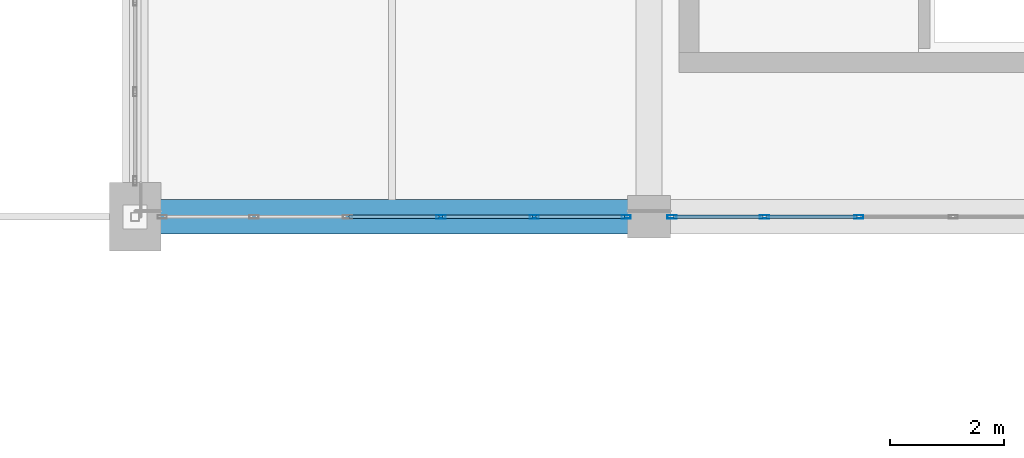
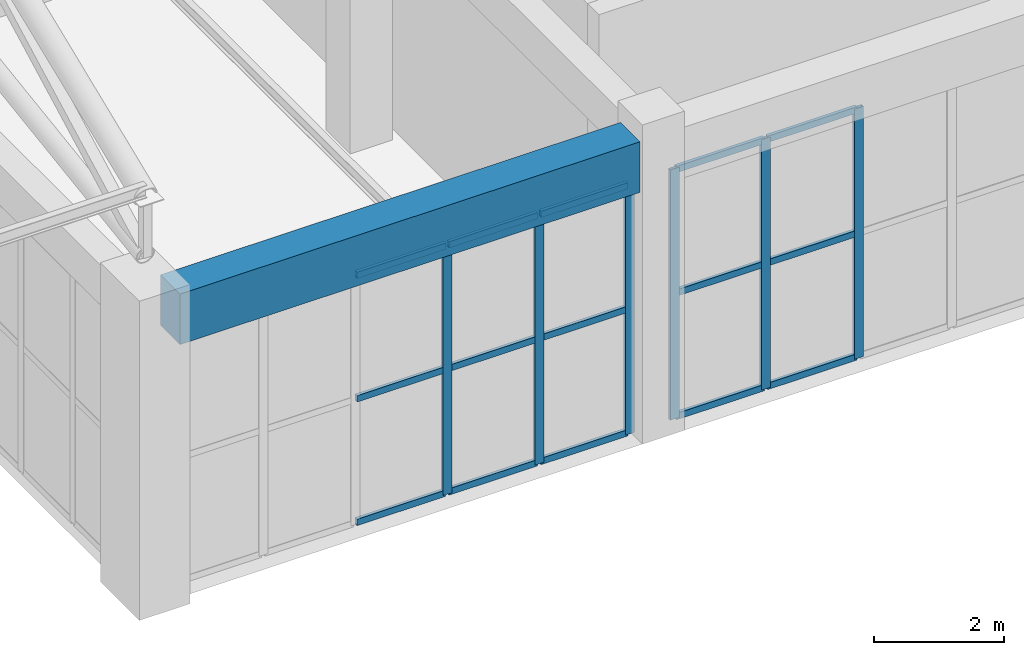
# One storey, part 89 of 223: 21 members, 1 beam, 2 elements without a shape of their own.
"""IFC4 building model written with IfcOpenShell, lengths in metres."""

from ifc_helpers import new_model, si_unit, direction, frame, origin, origin_2d, place, context, subcontext, project, spatial, rectangle, hollow_rectangle, extrude, material, layer, layer_set, material_profile, profile_set, type_object, element, aggregate, save


model = new_model("IFC4")

# Units and contexts
model_context = context("Model", 3, precision=1e-05, world=origin(), true_north=direction((0.0, 1.0)))
body_context = subcontext(model_context, "Body", "Model", "MODEL_VIEW")
ifc_project = project(units=[si_unit("LENGTHUNIT", "METRE"), si_unit("AREAUNIT", "SQUARE_METRE"), si_unit("VOLUMEUNIT", "CUBIC_METRE"), si_unit("PLANEANGLEUNIT", "RADIAN"), si_unit("MASSUNIT", "GRAM", prefix="KILO")], contexts=[model_context])

# Site, building, storey
site_placement = place(None, origin())
site = spatial("IfcSite", under=ifc_project, at=site_placement, CompositionType="ELEMENT")
building_placement = place(site_placement, origin())
building = spatial("IfcBuilding", under=site, at=building_placement, Name="Dornveld Trade and Exhibition Forum", CompositionType="ELEMENT")
storey_placement = place(building_placement, frame((0.0, 0.0, 6.0)))
storey = spatial("IfcBuildingStorey", under=building, at=storey_placement, Name="L01", CompositionType="ELEMENT", Elevation=6.0)

# Beam
ifc_material_1 = material(Name="Precast concrete C50/60", Category="concrete")
ifc_material_profile_1 = material_profile(ifc_material_1, rectangle(XDim=0.60009765625, YDim=0.949951171875, at=origin_2d()), Name="PC-GIR 600x950")
ifc_profile_set_1 = profile_set([ifc_material_profile_1], Name="Precast concrete C50/60")
beam_type = type_object("IfcBeamType", Name="BM-PC-600x950", PredefinedType="T_BEAM", material=ifc_profile_set_1)
beam_placement = place(storey_placement, frame((171.446044921875, 108.0, 5.1650390625), z_axis=(1.0, 0.0, 0.0), x_axis=(0.0, 1.0, 0.0)))
element("IfcBeam", 1, at=beam_placement, inside=storey, type_object=beam_type, Name="L01 X-girder 1334", PredefinedType="T_BEAM", context=body_context, shape_type="SweptSolid", body=[
    extrude(rectangle(XDim=0.60009765625, YDim=0.949951171875, at=origin_2d()), origin(), (0.0, 0.0, 1.0), 8.182861328125),
])

# Curtain wall, members
ifc_material_2 = material(Name="Dark-bronze anodised aluminium and low-E glass", Category="aluminium")
ifc_layer_1 = layer(ifc_material_2, 0.18408203125)
ifc_layer_set_1 = layer_set([ifc_layer_1], Name="Dark-bronze anodised aluminium and low-E glass")
curtain_wall_type_1 = type_object("IfcCurtainWallType", Name="CW-SYS-14", PredefinedType="USERDEFINED", material=ifc_layer_set_1)
curtain_wall_1_placement = place(storey_placement, origin())
curtain_wall_1 = element("IfcCurtainWall", 2, at=curtain_wall_1_placement, inside=storey, type_object=curtain_wall_type_1, Name="L01 unitised curtain wall 104", ObjectType="UNITISED_CURTAIN_WALL", PredefinedType="USERDEFINED")
ifc_material_3 = material(Name="Dark-bronze anodised aluminium", Category="aluminium")
ifc_material_profile_2 = material_profile(ifc_material_3, hollow_rectangle(XDim=0.06005859375, YDim=0.159912109375, WallThickness=0.00390625, at=origin_2d()), Name="RHS 160x60x4")
ifc_profile_set_2 = profile_set([ifc_material_profile_2], Name="Dark-bronze anodised aluminium")
member_type_1 = type_object("IfcMemberType", Name="CW-MUL-160", PredefinedType="MULLION", material=ifc_profile_set_2)
member_1_placement = place(storey_placement, frame((176.355712890625, 108.0, -0.00390625), z_axis=(0.0, 0.0, 1.0), x_axis=(0.0, 1.0, 0.0)))
member_1 = element("IfcMember", 3, at=member_1_placement, type_object=member_type_1, Name="CW-14 mullion 4", PredefinedType="MULLION", context=body_context, shape_type="SweptSolid", body=[
    extrude(hollow_rectangle(XDim=0.06005859375, YDim=0.159912109375, WallThickness=0.00390625, at=origin_2d()), origin(), (0.0, 0.0, 1.0), 4.703857421875),
])
member_2_placement = place(storey_placement, frame((177.992431640625, 108.0, -0.00390625), z_axis=(0.0, 0.0, 1.0), x_axis=(0.0, 1.0, 0.0)))
member_2 = element("IfcMember", 4, at=member_2_placement, type_object=member_type_1, Name="CW-14 mullion 5", PredefinedType="MULLION", context=body_context, shape_type="SweptSolid", body=[
    extrude(hollow_rectangle(XDim=0.06005859375, YDim=0.159912109375, WallThickness=0.00390625, at=origin_2d()), origin(), (0.0, 0.0, 1.0), 4.703857421875),
])
member_3_placement = place(storey_placement, frame((179.59912109375, 108.0, -0.00390625), z_axis=(0.0, 0.0, 1.0), x_axis=(0.0, 1.0, 0.0)))
member_3 = element("IfcMember", 5, at=member_3_placement, type_object=member_type_1, Name="CW-14 mullion 6", PredefinedType="MULLION", context=body_context, shape_type="SweptSolid", body=[
    extrude(hollow_rectangle(XDim=0.06005859375, YDim=0.159912109375, WallThickness=0.00390625, at=origin_2d()), origin(), (0.0, 0.0, 1.0), 4.703857421875),
])

ifc_material_4 = material(Name="Dark-bronze anodised aluminium and low-E glass", Category="aluminium")
ifc_layer_2 = layer(ifc_material_4, 0.18701171875)
ifc_layer_set_2 = layer_set([ifc_layer_2], Name="Dark-bronze anodised aluminium and low-E glass")
curtain_wall_type_2 = type_object("IfcCurtainWallType", Name="CW-SYS-15", PredefinedType="USERDEFINED", material=ifc_layer_set_2)
curtain_wall_2_placement = place(storey_placement, origin())
curtain_wall_2 = element("IfcCurtainWall", 6, at=curtain_wall_2_placement, inside=storey, type_object=curtain_wall_type_2, Name="L01 unitised curtain wall 105", ObjectType="UNITISED_CURTAIN_WALL", PredefinedType="USERDEFINED")
member_4_placement = place(storey_placement, frame((180.40087890625, 108.0, -0.00390625), z_axis=(0.0, 0.0, 1.0), x_axis=(0.0, 1.0, 0.0)))
member_4 = element("IfcMember", 7, at=member_4_placement, type_object=member_type_1, Name="CW-15 mullion 1", PredefinedType="MULLION", context=body_context, shape_type="SweptSolid", body=[
    extrude(hollow_rectangle(XDim=0.06005859375, YDim=0.159912109375, WallThickness=0.00390625, at=origin_2d()), origin(), (0.0, 0.0, 1.0), 4.703857421875),
])
member_5_placement = place(storey_placement, frame((182.022705078125, 108.0, -0.00390625), z_axis=(0.0, 0.0, 1.0), x_axis=(0.0, 1.0, 0.0)))
member_5 = element("IfcMember", 8, at=member_5_placement, type_object=member_type_1, Name="CW-15 mullion 2", PredefinedType="MULLION", context=body_context, shape_type="SweptSolid", body=[
    extrude(hollow_rectangle(XDim=0.06005859375, YDim=0.159912109375, WallThickness=0.00390625, at=origin_2d()), origin(), (0.0, 0.0, 1.0), 4.703857421875),
])
member_6_placement = place(storey_placement, frame((183.67431640625, 108.0, -0.00390625), z_axis=(0.0, 0.0, 1.0), x_axis=(0.0, 1.0, 0.0)))
member_6 = element("IfcMember", 9, at=member_6_placement, type_object=member_type_1, Name="CW-15 mullion 3", PredefinedType="MULLION", context=body_context, shape_type="SweptSolid", body=[
    extrude(hollow_rectangle(XDim=0.06005859375, YDim=0.159912109375, WallThickness=0.00390625, at=origin_2d()), origin(), (0.0, 0.0, 1.0), 4.703857421875),
])

# Member
ifc_material_5 = material(Name="Dark-bronze anodised aluminium", Category="aluminium")
ifc_material_profile_3 = material_profile(ifc_material_5, hollow_rectangle(XDim=0.06005859375, YDim=0.1201171875, WallThickness=0.00390625, at=origin_2d()), Name="RHS 120x60x4")
ifc_profile_set_3 = profile_set([ifc_material_profile_3], Name="Dark-bronze anodised aluminium")
member_type_2 = type_object("IfcMemberType", Name="CW-TRN-120", PredefinedType="USERDEFINED", material=ifc_profile_set_3)
member_7_placement = place(storey_placement, frame((174.749267578125, 108.0, 0.02587890625), z_axis=(1.0, 0.0, 0.0), x_axis=(0.0, 1.0, 0.0)))
member_7 = element("IfcMember", 10, at=member_7_placement, type_object=member_type_2, Name="CW-14 transom 3.1", ObjectType="TRANSOM", PredefinedType="USERDEFINED", context=body_context, shape_type="SweptSolid", body=[
    extrude(hollow_rectangle(XDim=0.06005859375, YDim=0.1201171875, WallThickness=0.00390625, at=origin_2d()), origin(), (0.0, 0.0, 1.0), 1.576416015625),
])

member_8_placement = place(storey_placement, frame((174.749267578125, 108.0, 2.347900390625), z_axis=(1.0, 0.0, 0.0), x_axis=(0.0, 1.0, 0.0)))
member_8 = element("IfcMember", 11, at=member_8_placement, type_object=member_type_2, Name="CW-14 transom 3.2", ObjectType="TRANSOM", PredefinedType="USERDEFINED", context=body_context, shape_type="SweptSolid", body=[
    extrude(hollow_rectangle(XDim=0.06005859375, YDim=0.1201171875, WallThickness=0.00390625, at=origin_2d()), origin(), (0.0, 0.0, 1.0), 1.576416015625),
])

member_9_placement = place(storey_placement, frame((174.749267578125, 108.0, 4.669921875), z_axis=(1.0, 0.0, 0.0), x_axis=(0.0, 1.0, 0.0)))
member_9 = element("IfcMember", 12, at=member_9_placement, type_object=member_type_2, Name="CW-14 transom 3.3", ObjectType="TRANSOM", PredefinedType="USERDEFINED", context=body_context, shape_type="SweptSolid", body=[
    extrude(hollow_rectangle(XDim=0.06005859375, YDim=0.1201171875, WallThickness=0.00390625, at=origin_2d()), origin(), (0.0, 0.0, 1.0), 1.576416015625),
])

member_10_placement = place(storey_placement, frame((176.3857421875, 108.0, 0.02587890625), z_axis=(1.0, 0.0, 0.0), x_axis=(0.0, 1.0, 0.0)))
member_10 = element("IfcMember", 13, at=member_10_placement, type_object=member_type_2, Name="CW-14 transom 4.1", ObjectType="TRANSOM", PredefinedType="USERDEFINED", context=body_context, shape_type="SweptSolid", body=[
    extrude(hollow_rectangle(XDim=0.06005859375, YDim=0.1201171875, WallThickness=0.00390625, at=origin_2d()), origin(), (0.0, 0.0, 1.0), 1.57666015625),
])

member_11_placement = place(storey_placement, frame((176.3857421875, 108.0, 2.347900390625), z_axis=(1.0, 0.0, 0.0), x_axis=(0.0, 1.0, 0.0)))
member_11 = element("IfcMember", 14, at=member_11_placement, type_object=member_type_2, Name="CW-14 transom 4.2", ObjectType="TRANSOM", PredefinedType="USERDEFINED", context=body_context, shape_type="SweptSolid", body=[
    extrude(hollow_rectangle(XDim=0.06005859375, YDim=0.1201171875, WallThickness=0.00390625, at=origin_2d()), origin(), (0.0, 0.0, 1.0), 1.57666015625),
])

member_12_placement = place(storey_placement, frame((176.3857421875, 108.0, 4.669921875), z_axis=(1.0, 0.0, 0.0), x_axis=(0.0, 1.0, 0.0)))
member_12 = element("IfcMember", 15, at=member_12_placement, type_object=member_type_2, Name="CW-14 transom 4.3", ObjectType="TRANSOM", PredefinedType="USERDEFINED", context=body_context, shape_type="SweptSolid", body=[
    extrude(hollow_rectangle(XDim=0.06005859375, YDim=0.1201171875, WallThickness=0.00390625, at=origin_2d()), origin(), (0.0, 0.0, 1.0), 1.57666015625),
])

member_13_placement = place(storey_placement, frame((178.0224609375, 108.0, 0.02587890625), z_axis=(1.0, 0.0, 0.0), x_axis=(0.0, 1.0, 0.0)))
member_13 = element("IfcMember", 16, at=member_13_placement, type_object=member_type_2, Name="CW-14 transom 5.1", ObjectType="TRANSOM", PredefinedType="USERDEFINED", context=body_context, shape_type="SweptSolid", body=[
    extrude(hollow_rectangle(XDim=0.06005859375, YDim=0.1201171875, WallThickness=0.00390625, at=origin_2d()), origin(), (0.0, 0.0, 1.0), 1.546630859375),
])

member_14_placement = place(storey_placement, frame((178.0224609375, 108.0, 2.347900390625), z_axis=(1.0, 0.0, 0.0), x_axis=(0.0, 1.0, 0.0)))
member_14 = element("IfcMember", 17, at=member_14_placement, type_object=member_type_2, Name="CW-14 transom 5.2", ObjectType="TRANSOM", PredefinedType="USERDEFINED", context=body_context, shape_type="SweptSolid", body=[
    extrude(hollow_rectangle(XDim=0.06005859375, YDim=0.1201171875, WallThickness=0.00390625, at=origin_2d()), origin(), (0.0, 0.0, 1.0), 1.546630859375),
])

member_15_placement = place(storey_placement, frame((178.0224609375, 108.0, 4.669921875), z_axis=(1.0, 0.0, 0.0), x_axis=(0.0, 1.0, 0.0)))
member_15 = element("IfcMember", 18, at=member_15_placement, type_object=member_type_2, Name="CW-14 transom 5.3", ObjectType="TRANSOM", PredefinedType="USERDEFINED", context=body_context, shape_type="SweptSolid", body=[
    extrude(hollow_rectangle(XDim=0.06005859375, YDim=0.1201171875, WallThickness=0.00390625, at=origin_2d()), origin(), (0.0, 0.0, 1.0), 1.546630859375),
])

aggregate(curtain_wall_1, [member_1, member_2, member_3, member_7, member_8, member_9, member_10, member_11, member_12, member_13, member_14, member_15])

member_16_placement = place(storey_placement, frame((180.430908203125, 108.0, 0.02587890625), z_axis=(1.0, 0.0, 0.0), x_axis=(0.0, 1.0, 0.0)))
member_16 = element("IfcMember", 19, at=member_16_placement, type_object=member_type_2, Name="CW-15 transom 1.1", ObjectType="TRANSOM", PredefinedType="USERDEFINED", context=body_context, shape_type="SweptSolid", body=[
    extrude(hollow_rectangle(XDim=0.06005859375, YDim=0.1201171875, WallThickness=0.00390625, at=origin_2d()), origin(), (0.0, 0.0, 1.0), 1.561767578125),
])

member_17_placement = place(storey_placement, frame((180.430908203125, 108.0, 2.347900390625), z_axis=(1.0, 0.0, 0.0), x_axis=(0.0, 1.0, 0.0)))
member_17 = element("IfcMember", 20, at=member_17_placement, type_object=member_type_2, Name="CW-15 transom 1.2", ObjectType="TRANSOM", PredefinedType="USERDEFINED", context=body_context, shape_type="SweptSolid", body=[
    extrude(hollow_rectangle(XDim=0.06005859375, YDim=0.1201171875, WallThickness=0.00390625, at=origin_2d()), origin(), (0.0, 0.0, 1.0), 1.561767578125),
])

member_18_placement = place(storey_placement, frame((180.430908203125, 108.0, 4.669921875), z_axis=(1.0, 0.0, 0.0), x_axis=(0.0, 1.0, 0.0)))
member_18 = element("IfcMember", 21, at=member_18_placement, type_object=member_type_2, Name="CW-15 transom 1.3", ObjectType="TRANSOM", PredefinedType="USERDEFINED", context=body_context, shape_type="SweptSolid", body=[
    extrude(hollow_rectangle(XDim=0.06005859375, YDim=0.1201171875, WallThickness=0.00390625, at=origin_2d()), origin(), (0.0, 0.0, 1.0), 1.561767578125),
])

member_19_placement = place(storey_placement, frame((182.052490234375, 108.0, 0.02587890625), z_axis=(1.0, 0.0, 0.0), x_axis=(0.0, 1.0, 0.0)))
member_19 = element("IfcMember", 22, at=member_19_placement, type_object=member_type_2, Name="CW-15 transom 2.1", ObjectType="TRANSOM", PredefinedType="USERDEFINED", context=body_context, shape_type="SweptSolid", body=[
    extrude(hollow_rectangle(XDim=0.06005859375, YDim=0.1201171875, WallThickness=0.00390625, at=origin_2d()), origin(), (0.0, 0.0, 1.0), 1.591796875),
])

member_20_placement = place(storey_placement, frame((182.052490234375, 108.0, 2.347900390625), z_axis=(1.0, 0.0, 0.0), x_axis=(0.0, 1.0, 0.0)))
member_20 = element("IfcMember", 23, at=member_20_placement, type_object=member_type_2, Name="CW-15 transom 2.2", ObjectType="TRANSOM", PredefinedType="USERDEFINED", context=body_context, shape_type="SweptSolid", body=[
    extrude(hollow_rectangle(XDim=0.06005859375, YDim=0.1201171875, WallThickness=0.00390625, at=origin_2d()), origin(), (0.0, 0.0, 1.0), 1.591796875),
])

member_21_placement = place(storey_placement, frame((182.052490234375, 108.0, 4.669921875), z_axis=(1.0, 0.0, 0.0), x_axis=(0.0, 1.0, 0.0)))
member_21 = element("IfcMember", 24, at=member_21_placement, type_object=member_type_2, Name="CW-15 transom 2.3", ObjectType="TRANSOM", PredefinedType="USERDEFINED", context=body_context, shape_type="SweptSolid", body=[
    extrude(hollow_rectangle(XDim=0.06005859375, YDim=0.1201171875, WallThickness=0.00390625, at=origin_2d()), origin(), (0.0, 0.0, 1.0), 1.591796875),
])

aggregate(curtain_wall_2, [member_4, member_5, member_6, member_16, member_17, member_18, member_19, member_20, member_21])

save(model, "model.ifc")
